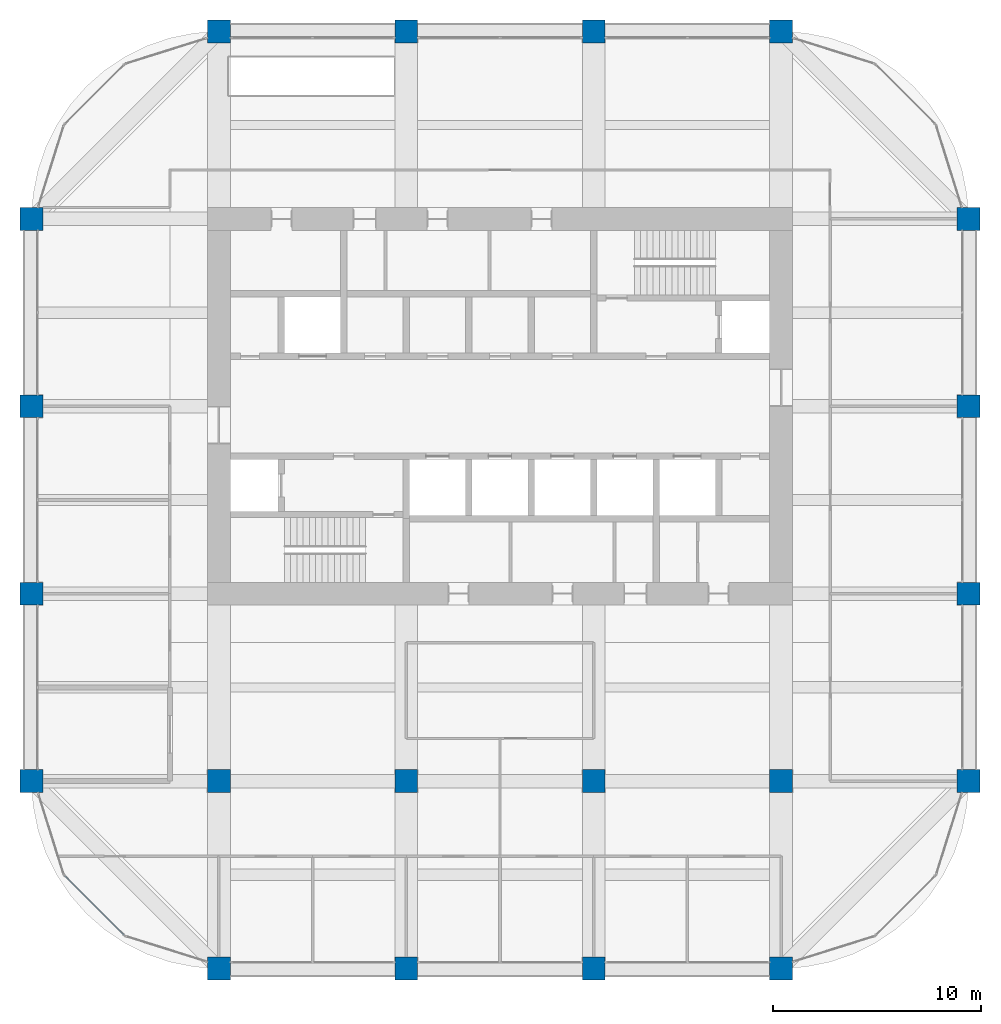
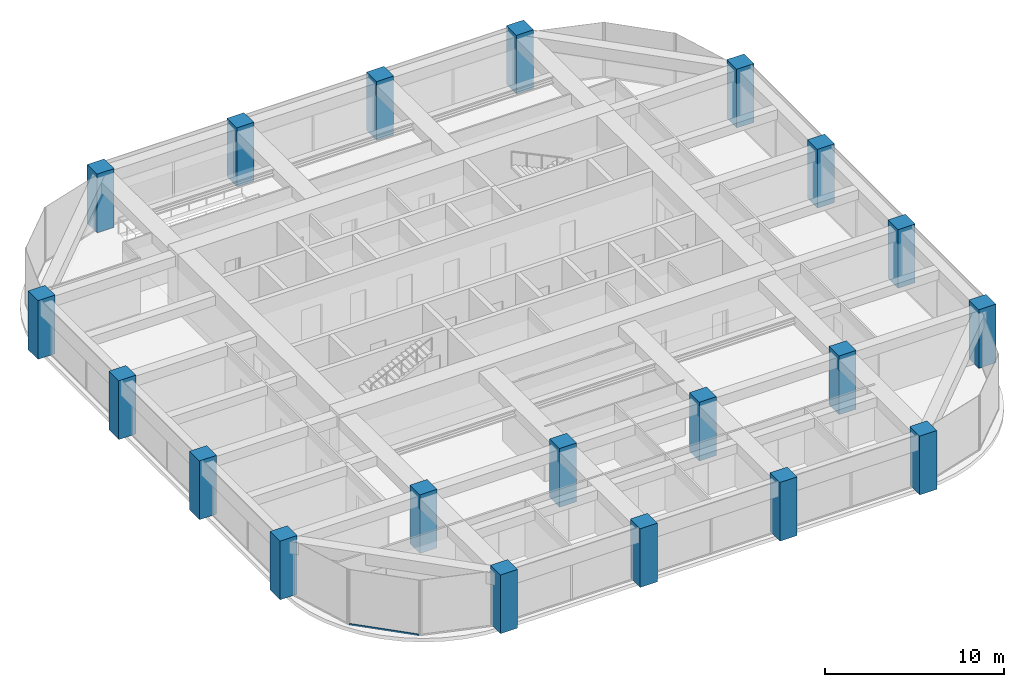
# One storey, part 1 of 44: 20 columns, 1 member, 1 element without a shape of its own.
"""IFC4 building model written with IfcOpenShell, lengths in metres."""

from ifc_helpers import new_model, si_unit, direction, frame, origin, origin_2d, place, context, subcontext, project, spatial, rectangle, hollow_rectangle, extrude, material, material_profile, profile_set, type_object, element, aggregate, save


model = new_model("IFC4")

# Units and contexts
model_context = context("Model", 3, precision=1e-05, world=origin(), true_north=direction((0.0, 1.0)))
body_context = subcontext(model_context, "Body", "Model", "MODEL_VIEW")
ifc_project = project(units=[si_unit("LENGTHUNIT", "METRE"), si_unit("AREAUNIT", "SQUARE_METRE"), si_unit("VOLUMEUNIT", "CUBIC_METRE"), si_unit("PLANEANGLEUNIT", "RADIAN"), si_unit("MASSUNIT", "GRAM", prefix="KILO")], contexts=[model_context])

# Site, building, storey
site_placement = place(None, origin())
site = spatial("IfcSite", under=ifc_project, at=site_placement, CompositionType="ELEMENT")
building_placement = place(site_placement, origin())
building = spatial("IfcBuilding", under=site, at=building_placement, Name="Zorevar Civic Tower", CompositionType="ELEMENT")
storey_placement = place(building_placement, frame((0.0, 0.0, 275.39990234375)))
storey = spatial("IfcBuildingStorey", under=building, at=storey_placement, Name="L67", CompositionType="ELEMENT", Elevation=275.39990234375)

# Columns
ifc_material_1 = material(Name="Concrete C50/60", Category="concrete")
ifc_material_profile_1 = material_profile(ifc_material_1, rectangle(XDim=1.10009765625, YDim=1.10009765625, at=origin_2d()), Name="RC 1100x1100")
ifc_profile_set_1 = profile_set([ifc_material_profile_1], Name="Concrete C50/60")
column_type = type_object("IfcColumnType", Name="Column RC 1100x1100", PredefinedType="COLUMN", material=ifc_profile_set_1)
for number, where, z_axis, x_axis, name in (
    (1, (9.0, 9.0, 0.0), (0.0, 0.0, 1.0), (1.0, 0.0, 0.0), "Column 3B L67"),
    (2, (9.0, 18.0, 0.0), (0.0, 0.0, 1.0), (1.0, 0.0, 0.0), "Column 3C L67"),
    (3, (9.0, 27.0, 0.0), (0.0, 0.0, 1.0), (1.0, 0.0, 0.0), "Column 3D L67"),
    (4, (9.0, 36.0, 0.0), (0.0, 0.0, 1.0), (1.0, 0.0, 0.0), "Column 3E L67"),
    (5, (18.0, 0.0, 0.0), (0.0, 0.0, 1.0), (1.0, 0.0, 0.0), "Column 4A L67"),
    (6, (18.0, 9.0, 0.0), (0.0, 0.0, 1.0), (1.0, 0.0, 0.0), "Column 4B L67"),
    (7, (18.0, 45.0, 0.0), (0.0, 0.0, 1.0), (1.0, 0.0, 0.0), "Column 4F L67"),
    (8, (27.0, 0.0, 0.0), (0.0, 0.0, 1.0), (1.0, 0.0, 0.0), "Column 5A L67"),
    (9, (27.0, 9.0, 0.0), (0.0, 0.0, 1.0), (1.0, 0.0, 0.0), "Column 5B L67"),
    (10, (27.0, 45.0, 0.0), (0.0, 0.0, 1.0), (1.0, 0.0, 0.0), "Column 5F L67"),
    (11, (36.0, 0.0, 0.0), (0.0, 0.0, 1.0), (1.0, 0.0, 0.0), "Column 6A L67"),
    (12, (36.0, 9.0, 0.0), (0.0, 0.0, 1.0), (1.0, 0.0, 0.0), "Column 6B L67"),
    (13, (36.0, 45.0, 0.0), (0.0, 0.0, 1.0), (1.0, 0.0, 0.0), "Column 6F L67"),
    (14, (45.0, 0.0, 0.0), (0.0, 0.0, 1.0), (1.0, 0.0, 0.0), "Column 7A L67"),
    (15, (45.0, 9.0, 0.0), (0.0, 0.0, 1.0), (1.0, 0.0, 0.0), "Column 7B L67"),
    (16, (45.0, 45.0, 0.0), (0.0, 0.0, 1.0), (1.0, 0.0, 0.0), "Column 7F L67"),
    (17, (54.0, 9.0, 0.0), (0.0, 0.0, 1.0), (1.0, 0.0, 0.0), "Column 8B L67"),
    (18, (54.0, 18.0, 0.0), (0.0, 0.0, 1.0), (1.0, 0.0, 0.0), "Column 8C L67"),
    (19, (54.0, 27.0, 0.0), (0.0, 0.0, 1.0), (1.0, 0.0, 0.0), "Column 8D L67"),
    (20, (54.0, 36.0, 0.0), (0.0, 0.0, 1.0), (1.0, 0.0, 0.0), "Column 8E L67"),
):
    element("IfcColumn", number, at=place(storey_placement, frame(where, z_axis=z_axis, x_axis=x_axis)), inside=storey, type_object=column_type, Name=name, PredefinedType="COLUMN", context=body_context, shape_type="SweptSolid", body=[
        extrude(rectangle(XDim=1.10009765625, YDim=1.10009765625, at=origin_2d()), origin(), (0.0, 0.0, 1.0), 4.0),
    ])

# Curtain wall, member
ifc_material_2 = material(Name="Dark grey solar-control glass in black aluminium frame", Category="aluminium")
curtain_wall_type = type_object("IfcCurtainWallType", Name="Curtain wall CW5 top zone", PredefinedType="NOTDEFINED", material=ifc_material_2)
curtain_wall_placement = place(storey_placement, origin())
curtain_wall = element("IfcCurtainWall", 21, at=curtain_wall_placement, inside=storey, type_object=curtain_wall_type, Name="CW5 L67", PredefinedType="NOTDEFINED")
ifc_material_3 = material(Name="Aluminium, black anodised", Category="aluminium")
ifc_material_profile_2 = material_profile(ifc_material_3, hollow_rectangle(XDim=0.06005859375, YDim=0.1201171875, WallThickness=0.0029296875, at=origin_2d()), Name="AL 120x60x3")
ifc_profile_set_2 = profile_set([ifc_material_profile_2], Name="Aluminium, black anodised")
member_type = type_object("IfcMemberType", Name="CW5 transom AL 120x60x3", PredefinedType="USERDEFINED", material=ifc_profile_set_2)
member_placement = place(storey_placement, frame((10.6015625, 4.44970703125, 0.030029296875), z_axis=(0.707106781187, -0.707106781187, 0.0), x_axis=(0.707106781187, 0.707106781187, 0.0)))
member = element("IfcMember", 22, at=member_placement, type_object=member_type, Name="CW5 sill transom", ObjectType="TRANSOM", PredefinedType="USERDEFINED", context=body_context, shape_type="SweptSolid", body=[
    extrude(hollow_rectangle(XDim=0.06005859375, YDim=0.1201171875, WallThickness=0.0029296875, at=origin_2d()), origin(), (0.0, 0.0, 1.0), 4.02783203125),
])
aggregate(curtain_wall, [member])

save(model, "model.ifc")
